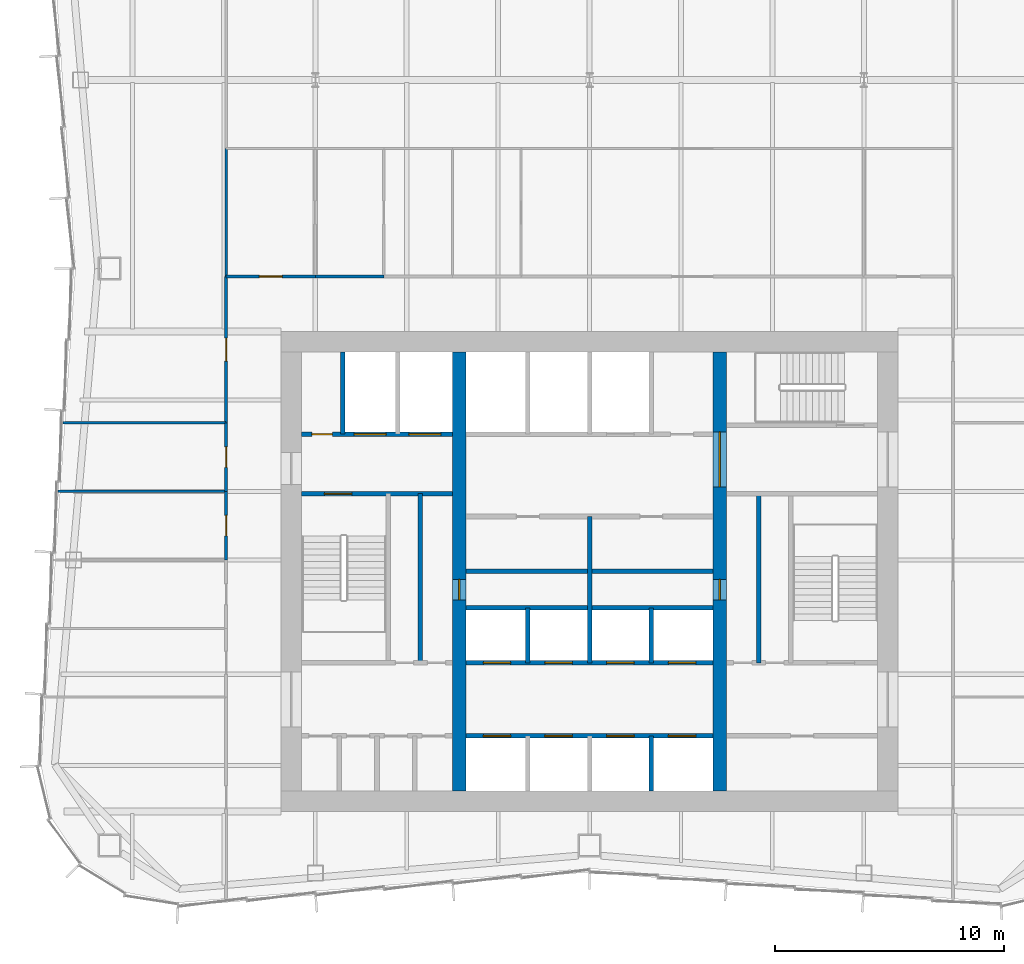
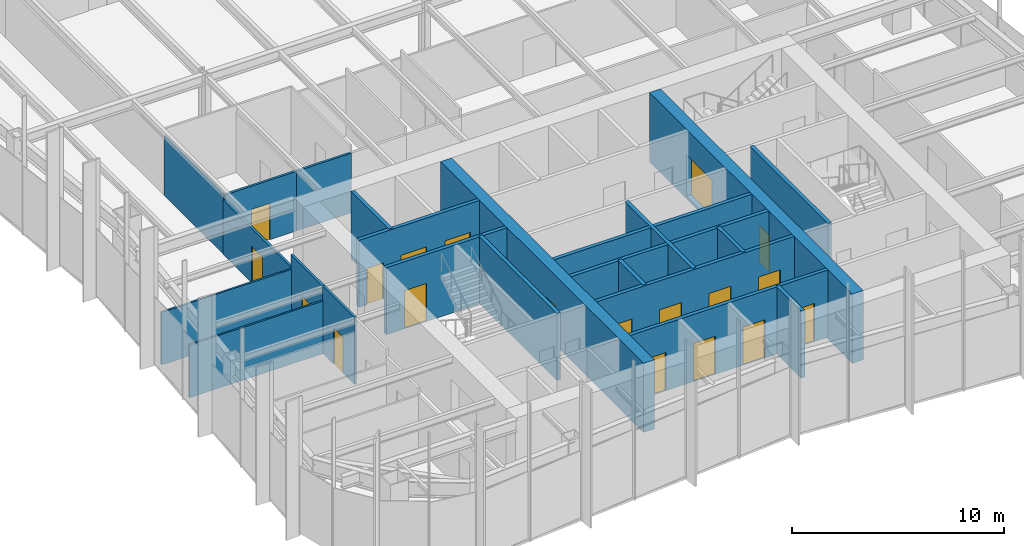
# One storey, part 10 of 13: 23 walls, 19 doors, 19 openings.
"""IFC4 building model written with IfcOpenShell, lengths in metres."""

from ifc_helpers import new_model, si_unit, direction, frame, frame_2d, origin, place, context, subcontext, project, spatial, rectangle, extrude, material, layer, layer_set, type_object, element, fill, save


model = new_model("IFC4")

# Units and contexts
model_context = context("Model", 3, precision=1e-05, world=origin(), true_north=direction((0.0, 1.0)))
body_context = subcontext(model_context, "Body", "Model", "MODEL_VIEW")
ifc_project = project(units=[si_unit("LENGTHUNIT", "METRE"), si_unit("AREAUNIT", "SQUARE_METRE"), si_unit("VOLUMEUNIT", "CUBIC_METRE"), si_unit("PLANEANGLEUNIT", "RADIAN"), si_unit("MASSUNIT", "GRAM", prefix="KILO")], contexts=[model_context])

# Site, building, storey
site_placement = place(None, origin())
site = spatial("IfcSite", under=ifc_project, at=site_placement, CompositionType="ELEMENT")
building_placement = place(site_placement, origin())
building = spatial("IfcBuilding", under=site, at=building_placement, Name="Verdant Reach Tower", CompositionType="ELEMENT")
storey_placement = place(building_placement, frame((0.0, 0.0, 218.0)))
storey = spatial("IfcBuildingStorey", under=building, at=storey_placement, Name="L50", CompositionType="ELEMENT", Elevation=218.0)

# Walls
ifc_material_1 = material(Name="Gypsum board on steel studs", Category="steel")
ifc_layer_1 = layer(ifc_material_1, 0.199951171875)
ifc_layer_set_1 = layer_set([ifc_layer_1], Name="CO-WALL-ROOM")
wall_type_1 = type_object("IfcWallType", Name="CO-WALL-ROOM", PredefinedType="PARTITIONING", material=ifc_layer_set_1)
wall_1_placement = place(storey_placement, frame((-5.39990234375, 28.0, 0.0), z_axis=(0.0, 0.0, 1.0), x_axis=(1.0, 0.0, 0.0)))
element("IfcWall", 1, at=wall_1_placement, inside=storey, type_object=wall_type_1, Name="Core partition, L50", PredefinedType="PARTITIONING", context=body_context, shape_type="SweptSolid", body=[
    extrude(rectangle(XDim=10.7998046875, YDim=0.199951171875, at=frame_2d((5.39990234375, 0.0))), origin(), (0.0, 0.0, 1.0), 3.8701171875),
])
for number, where, z_axis, x_axis, name in (
    (2, (-7.39990234375, 24.0, 0.0), (0.0, 0.0, 1.0), (0.0, 1.0, 0.0), "Core partition, L50"),
    (3, (7.39990234375, 24.0, 0.0), (0.0, 0.0, 1.0), (0.0, 1.0, 0.0), "Core partition, L50"),
):
    element("IfcWall", number, at=place(storey_placement, frame(where, z_axis=z_axis, x_axis=x_axis)), inside=storey, type_object=wall_type_1, Name=name, PredefinedType="PARTITIONING", context=body_context, shape_type="SweptSolid", body=[
        extrude(rectangle(XDim=7.39990234375, YDim=0.199951171875, at=frame_2d((3.699951171875, 0.0))), origin(), (0.0, 0.0, 1.0), 3.8701171875),
    ])

# Wall, openings, doors
ifc_material_2 = material(Name="Concrete C40/50", Category="concrete")
ifc_layer_2 = layer(ifc_material_2, 0.199951171875)
ifc_layer_set_2 = layer_set([ifc_layer_2], Name="CO-WALL-SHAFT")
wall_type_2 = type_object("IfcWallType", Name="CO-WALL-SHAFT", PredefinedType="PARTITIONING", material=ifc_layer_set_2)
wall_2_placement = place(storey_placement, frame((-5.39990234375, 20.800048828125, 0.0), z_axis=(0.0, 0.0, 1.0), x_axis=(1.0, 0.0, 0.0)))
wall_2 = element("IfcWall", 4, at=wall_2_placement, inside=storey, type_object=wall_type_2, Name="Lift shaft wall, L50", PredefinedType="PARTITIONING", context=body_context, shape_type="SweptSolid", body=[
    extrude(rectangle(XDim=10.7998046875, YDim=0.199951171875, at=frame_2d((5.39990234375, 0.0))), origin(), (0.0, 0.0, 1.0), 3.8701171875),
])
opening_1_placement = place(wall_2_placement, frame((0.75, 0.0, 0.0)))
opening_1 = element("IfcOpeningElement", 5, at=opening_1_placement, cuts=wall_2, Name="Opening LD-B1", PredefinedType="OPENING", context=body_context, shape_type="SweptSolid", body=[
    extrude(rectangle(XDim=1.199951171875, YDim=2.199951171875, at=frame_2d((0.60009765625, 1.10009765625))), frame((0.0, 0.10986328125, 0.0), z_axis=(0.0, -1.0, 0.0), x_axis=(1.0, 0.0, 0.0)), (0.0, 0.0, 1.0), 0.219970703125),
])
opening_2_placement = place(wall_2_placement, frame((3.449951171875, 0.0, 0.0)))
opening_2 = element("IfcOpeningElement", 6, at=opening_2_placement, cuts=wall_2, Name="Opening LD-B2", PredefinedType="OPENING", context=body_context, shape_type="SweptSolid", body=[
    extrude(rectangle(XDim=1.199951171875, YDim=2.199951171875, at=frame_2d((0.60009765625, 1.10009765625))), frame((0.0, 0.10986328125, 0.0), z_axis=(0.0, -1.0, 0.0), x_axis=(1.0, 0.0, 0.0)), (0.0, 0.0, 1.0), 0.219970703125),
])
opening_3_placement = place(wall_2_placement, frame((6.14990234375, 0.0, 0.0)))
opening_3 = element("IfcOpeningElement", 7, at=opening_3_placement, cuts=wall_2, Name="Opening LD-B3", PredefinedType="OPENING", context=body_context, shape_type="SweptSolid", body=[
    extrude(rectangle(XDim=1.199951171875, YDim=2.199951171875, at=frame_2d((0.60009765625, 1.10009765625))), frame((0.0, 0.10986328125, 0.0), z_axis=(0.0, -1.0, 0.0), x_axis=(1.0, 0.0, 0.0)), (0.0, 0.0, 1.0), 0.219970703125),
])
opening_4_placement = place(wall_2_placement, frame((8.85009765625, 0.0, 0.0)))
opening_4 = element("IfcOpeningElement", 8, at=opening_4_placement, cuts=wall_2, Name="Opening LD-B4", PredefinedType="OPENING", context=body_context, shape_type="SweptSolid", body=[
    extrude(rectangle(XDim=1.199951171875, YDim=2.199951171875, at=frame_2d((0.60009765625, 1.10009765625))), frame((0.0, 0.10986328125, 0.0), z_axis=(0.0, -1.0, 0.0), x_axis=(1.0, 0.0, 0.0)), (0.0, 0.0, 1.0), 0.219970703125),
])
ifc_material_3 = material(Name="Stainless steel", Category="steel")
door_type_1 = type_object("IfcDoorType", Name="CO-DOOR-LANDING", OperationType="SLIDING_TO_LEFT", PredefinedType="DOOR", material=ifc_material_3)
door_1_placement = place(opening_1_placement, origin())
door_1 = element("IfcDoor", 9, at=door_1_placement, inside=storey, type_object=door_type_1, Name="Landing door B1, L50", OperationType="SLIDING_TO_LEFT", OverallHeight=2.199951171875, OverallWidth=1.199951171875, PredefinedType="DOOR", context=body_context, shape_type="SweptSolid", body=[
    extrude(rectangle(XDim=1.199951171875, YDim=2.199951171875, at=frame_2d((0.60009765625, 1.10009765625))), frame((0.0, 0.02490234375, 0.0), z_axis=(0.0, -1.0, 0.0), x_axis=(1.0, 0.0, 0.0)), (0.0, 0.0, 1.0), 0.050048828125),
])
fill(opening_1, door_1)
door_2_placement = place(opening_2_placement, origin())
door_2 = element("IfcDoor", 10, at=door_2_placement, inside=storey, type_object=door_type_1, Name="Landing door B2, L50", OperationType="SLIDING_TO_LEFT", OverallHeight=2.199951171875, OverallWidth=1.199951171875, PredefinedType="DOOR", context=body_context, shape_type="SweptSolid", body=[
    extrude(rectangle(XDim=1.199951171875, YDim=2.199951171875, at=frame_2d((0.60009765625, 1.10009765625))), frame((0.0, 0.02490234375, 0.0), z_axis=(0.0, -1.0, 0.0), x_axis=(1.0, 0.0, 0.0)), (0.0, 0.0, 1.0), 0.050048828125),
])
fill(opening_2, door_2)
door_3_placement = place(opening_3_placement, origin())
door_3 = element("IfcDoor", 11, at=door_3_placement, inside=storey, type_object=door_type_1, Name="Landing door B3, L50", OperationType="SLIDING_TO_LEFT", OverallHeight=2.199951171875, OverallWidth=1.199951171875, PredefinedType="DOOR", context=body_context, shape_type="SweptSolid", body=[
    extrude(rectangle(XDim=1.199951171875, YDim=2.199951171875, at=frame_2d((0.60009765625, 1.10009765625))), frame((0.0, 0.02490234375, 0.0), z_axis=(0.0, -1.0, 0.0), x_axis=(1.0, 0.0, 0.0)), (0.0, 0.0, 1.0), 0.050048828125),
])
fill(opening_3, door_3)
door_4_placement = place(opening_4_placement, origin())
door_4 = element("IfcDoor", 12, at=door_4_placement, inside=storey, type_object=door_type_1, Name="Landing door B4, L50", OperationType="SLIDING_TO_LEFT", OverallHeight=2.199951171875, OverallWidth=1.199951171875, PredefinedType="DOOR", context=body_context, shape_type="SweptSolid", body=[
    extrude(rectangle(XDim=1.199951171875, YDim=2.199951171875, at=frame_2d((0.60009765625, 1.10009765625))), frame((0.0, 0.02490234375, 0.0), z_axis=(0.0, -1.0, 0.0), x_axis=(1.0, 0.0, 0.0)), (0.0, 0.0, 1.0), 0.050048828125),
])
fill(opening_4, door_4)

wall_3_placement = place(storey_placement, frame((-5.39990234375, 24.0, 0.0), z_axis=(0.0, 0.0, 1.0), x_axis=(1.0, 0.0, 0.0)))
wall_3 = element("IfcWall", 13, at=wall_3_placement, inside=storey, type_object=wall_type_2, Name="Lift shaft wall, L50", PredefinedType="PARTITIONING", context=body_context, shape_type="SweptSolid", body=[
    extrude(rectangle(XDim=10.7998046875, YDim=0.199951171875, at=frame_2d((5.39990234375, 0.0))), origin(), (0.0, 0.0, 1.0), 3.8701171875),
])
opening_5_placement = place(wall_3_placement, frame((0.75, 0.0, 0.0)))
opening_5 = element("IfcOpeningElement", 14, at=opening_5_placement, cuts=wall_3, Name="Opening LD-A5", PredefinedType="OPENING", context=body_context, shape_type="SweptSolid", body=[
    extrude(rectangle(XDim=1.199951171875, YDim=2.199951171875, at=frame_2d((0.60009765625, 1.10009765625))), frame((0.0, 0.10986328125, 0.0), z_axis=(0.0, -1.0, 0.0), x_axis=(1.0, 0.0, 0.0)), (0.0, 0.0, 1.0), 0.219970703125),
])
opening_6_placement = place(wall_3_placement, frame((3.449951171875, 0.0, 0.0)))
opening_6 = element("IfcOpeningElement", 15, at=opening_6_placement, cuts=wall_3, Name="Opening LD-A6", PredefinedType="OPENING", context=body_context, shape_type="SweptSolid", body=[
    extrude(rectangle(XDim=1.199951171875, YDim=2.199951171875, at=frame_2d((0.60009765625, 1.10009765625))), frame((0.0, 0.10986328125, 0.0), z_axis=(0.0, -1.0, 0.0), x_axis=(1.0, 0.0, 0.0)), (0.0, 0.0, 1.0), 0.219970703125),
])
opening_7_placement = place(wall_3_placement, frame((6.14990234375, 0.0, 0.0)))
opening_7 = element("IfcOpeningElement", 16, at=opening_7_placement, cuts=wall_3, Name="Opening LD-A7", PredefinedType="OPENING", context=body_context, shape_type="SweptSolid", body=[
    extrude(rectangle(XDim=1.199951171875, YDim=2.199951171875, at=frame_2d((0.60009765625, 1.10009765625))), frame((0.0, 0.10986328125, 0.0), z_axis=(0.0, -1.0, 0.0), x_axis=(1.0, 0.0, 0.0)), (0.0, 0.0, 1.0), 0.219970703125),
])
opening_8_placement = place(wall_3_placement, frame((8.85009765625, 0.0, 0.0)))
opening_8 = element("IfcOpeningElement", 17, at=opening_8_placement, cuts=wall_3, Name="Opening LD-A8", PredefinedType="OPENING", context=body_context, shape_type="SweptSolid", body=[
    extrude(rectangle(XDim=1.199951171875, YDim=2.199951171875, at=frame_2d((0.60009765625, 1.10009765625))), frame((0.0, 0.10986328125, 0.0), z_axis=(0.0, -1.0, 0.0), x_axis=(1.0, 0.0, 0.0)), (0.0, 0.0, 1.0), 0.219970703125),
])
door_5_placement = place(opening_5_placement, origin())
door_5 = element("IfcDoor", 18, at=door_5_placement, inside=storey, type_object=door_type_1, Name="Landing door A5, L50", OperationType="SLIDING_TO_LEFT", OverallHeight=2.199951171875, OverallWidth=1.199951171875, PredefinedType="DOOR", context=body_context, shape_type="SweptSolid", body=[
    extrude(rectangle(XDim=1.199951171875, YDim=2.199951171875, at=frame_2d((0.60009765625, 1.10009765625))), frame((0.0, 0.02490234375, 0.0), z_axis=(0.0, -1.0, 0.0), x_axis=(1.0, 0.0, 0.0)), (0.0, 0.0, 1.0), 0.050048828125),
])
fill(opening_5, door_5)
door_6_placement = place(opening_6_placement, origin())
door_6 = element("IfcDoor", 19, at=door_6_placement, inside=storey, type_object=door_type_1, Name="Landing door A6, L50", OperationType="SLIDING_TO_LEFT", OverallHeight=2.199951171875, OverallWidth=1.199951171875, PredefinedType="DOOR", context=body_context, shape_type="SweptSolid", body=[
    extrude(rectangle(XDim=1.199951171875, YDim=2.199951171875, at=frame_2d((0.60009765625, 1.10009765625))), frame((0.0, 0.02490234375, 0.0), z_axis=(0.0, -1.0, 0.0), x_axis=(1.0, 0.0, 0.0)), (0.0, 0.0, 1.0), 0.050048828125),
])
fill(opening_6, door_6)
door_7_placement = place(opening_7_placement, origin())
door_7 = element("IfcDoor", 20, at=door_7_placement, inside=storey, type_object=door_type_1, Name="Landing door A7, L50", OperationType="SLIDING_TO_LEFT", OverallHeight=2.199951171875, OverallWidth=1.199951171875, PredefinedType="DOOR", context=body_context, shape_type="SweptSolid", body=[
    extrude(rectangle(XDim=1.199951171875, YDim=2.199951171875, at=frame_2d((0.60009765625, 1.10009765625))), frame((0.0, 0.02490234375, 0.0), z_axis=(0.0, -1.0, 0.0), x_axis=(1.0, 0.0, 0.0)), (0.0, 0.0, 1.0), 0.050048828125),
])
fill(opening_7, door_7)
door_8_placement = place(opening_8_placement, origin())
door_8 = element("IfcDoor", 21, at=door_8_placement, inside=storey, type_object=door_type_1, Name="Landing door A8, L50", OperationType="SLIDING_TO_LEFT", OverallHeight=2.199951171875, OverallWidth=1.199951171875, PredefinedType="DOOR", context=body_context, shape_type="SweptSolid", body=[
    extrude(rectangle(XDim=1.199951171875, YDim=2.199951171875, at=frame_2d((0.60009765625, 1.10009765625))), frame((0.0, 0.02490234375, 0.0), z_axis=(0.0, -1.0, 0.0), x_axis=(1.0, 0.0, 0.0)), (0.0, 0.0, 1.0), 0.050048828125),
])
fill(opening_8, door_8)

# Wall
wall_4_placement = place(storey_placement, frame((-5.39990234375, 26.39990234375, 0.0), z_axis=(0.0, 0.0, 1.0), x_axis=(1.0, 0.0, 0.0)))
element("IfcWall", 22, at=wall_4_placement, inside=storey, type_object=wall_type_2, Name="Lift shaft wall, L50", PredefinedType="PARTITIONING", context=body_context, shape_type="SweptSolid", body=[
    extrude(rectangle(XDim=10.7998046875, YDim=0.199951171875, at=frame_2d((5.39990234375, 0.0))), origin(), (0.0, 0.0, 1.0), 3.8701171875),
])

# Wall, openings, doors
wall_5_placement = place(storey_placement, frame((-12.60009765625, 34.0, 0.0), z_axis=(0.0, 0.0, 1.0), x_axis=(1.0, 0.0, 0.0)))
wall_5 = element("IfcWall", 23, at=wall_5_placement, inside=storey, type_object=wall_type_2, Name="Lift shaft wall, L50", PredefinedType="PARTITIONING", context=body_context, shape_type="SweptSolid", body=[
    extrude(rectangle(XDim=6.60009765625, YDim=0.199951171875, at=frame_2d((3.300048828125, 0.0))), origin(), (0.0, 0.0, 1.0), 3.8701171875),
])
opening_9_placement = place(wall_5_placement, frame((4.699951171875, 0.0, 0.0)))
opening_9 = element("IfcOpeningElement", 24, at=opening_9_placement, cuts=wall_5, Name="Opening LD-F1", PredefinedType="OPENING", context=body_context, shape_type="SweptSolid", body=[
    extrude(rectangle(XDim=1.39990234375, YDim=2.199951171875, at=frame_2d((0.699951171875, 1.10009765625))), frame((0.0, 0.10986328125, 0.0), z_axis=(0.0, -1.0, 0.0), x_axis=(1.0, 0.0, 0.0)), (0.0, 0.0, 1.0), 0.219970703125),
])
opening_10_placement = place(wall_5_placement, frame((2.300048828125, 0.0, 0.0)))
opening_10 = element("IfcOpeningElement", 25, at=opening_10_placement, cuts=wall_5, Name="Opening LD-F2", PredefinedType="OPENING", context=body_context, shape_type="SweptSolid", body=[
    extrude(rectangle(XDim=1.39990234375, YDim=2.199951171875, at=frame_2d((0.699951171875, 1.10009765625))), frame((0.0, 0.10986328125, 0.0), z_axis=(0.0, -1.0, 0.0), x_axis=(1.0, 0.0, 0.0)), (0.0, 0.0, 1.0), 0.219970703125),
])
opening_11_placement = place(wall_5_placement, frame((0.449951171875, 0.0, 0.0)))
opening_11 = element("IfcOpeningElement", 26, at=opening_11_placement, cuts=wall_5, Name="Opening RD", PredefinedType="OPENING", context=body_context, shape_type="SweptSolid", body=[
    extrude(rectangle(XDim=0.89990234375, YDim=2.10009765625, at=frame_2d((0.449951171875, 1.050048828125))), frame((0.0, 0.10986328125, 0.0), z_axis=(0.0, -1.0, 0.0), x_axis=(1.0, 0.0, 0.0)), (0.0, 0.0, 1.0), 0.219970703125),
])
door_type_2 = type_object("IfcDoorType", Name="CO-DOOR-LANDING-FF", OperationType="SLIDING_TO_LEFT", PredefinedType="DOOR", material=ifc_material_3)
door_9_placement = place(opening_9_placement, origin())
door_9 = element("IfcDoor", 27, at=door_9_placement, inside=storey, type_object=door_type_2, Name="Landing door F1, L50", OperationType="SLIDING_TO_LEFT", OverallHeight=2.199951171875, OverallWidth=1.39990234375, PredefinedType="DOOR", context=body_context, shape_type="SweptSolid", body=[
    extrude(rectangle(XDim=1.39990234375, YDim=2.199951171875, at=frame_2d((0.699951171875, 1.10009765625))), frame((0.0, 0.02490234375, 0.0), z_axis=(0.0, -1.0, 0.0), x_axis=(1.0, 0.0, 0.0)), (0.0, 0.0, 1.0), 0.050048828125),
])
fill(opening_9, door_9)
door_10_placement = place(opening_10_placement, origin())
door_10 = element("IfcDoor", 28, at=door_10_placement, inside=storey, type_object=door_type_2, Name="Landing door F2, L50", OperationType="SLIDING_TO_LEFT", OverallHeight=2.199951171875, OverallWidth=1.39990234375, PredefinedType="DOOR", context=body_context, shape_type="SweptSolid", body=[
    extrude(rectangle(XDim=1.39990234375, YDim=2.199951171875, at=frame_2d((0.699951171875, 1.10009765625))), frame((0.0, 0.02490234375, 0.0), z_axis=(0.0, -1.0, 0.0), x_axis=(1.0, 0.0, 0.0)), (0.0, 0.0, 1.0), 0.050048828125),
])
fill(opening_10, door_10)
ifc_material_4 = material(Name="Steel", Category="steel")
door_type_3 = type_object("IfcDoorType", Name="CO-DOOR-RISER", OperationType="NOTDEFINED", PredefinedType="DOOR", material=ifc_material_4)
door_11_placement = place(opening_11_placement, origin())
door_11 = element("IfcDoor", 29, at=door_11_placement, inside=storey, type_object=door_type_3, Name="Core room door, L50", OperationType="SINGLE_SWING_RIGHT", OverallHeight=2.10009765625, OverallWidth=0.89990234375, PredefinedType="DOOR", context=body_context, shape_type="SweptSolid", body=[
    extrude(rectangle(XDim=0.89990234375, YDim=2.10009765625, at=frame_2d((0.449951171875, 1.050048828125))), frame((0.0, 0.02490234375, 0.0), z_axis=(0.0, -1.0, 0.0), x_axis=(1.0, 0.0, 0.0)), (0.0, 0.0, 1.0), 0.050048828125),
])
fill(opening_11, door_11)

# Walls
wall_6_placement = place(storey_placement, frame((-10.800048828125, 34.0, 0.0), z_axis=(0.0, 0.0, 1.0), x_axis=(0.0, 1.0, 0.0)))
element("IfcWall", 30, at=wall_6_placement, inside=storey, type_object=wall_type_2, Name="Lift shaft wall, L50", PredefinedType="PARTITIONING", context=body_context, shape_type="SweptSolid", body=[
    extrude(rectangle(XDim=3.60009765625, YDim=0.199951171875, at=frame_2d((1.800048828125, 0.0))), origin(), (0.0, 0.0, 1.0), 3.8701171875),
])
wall_7_placement = place(storey_placement, frame((-2.699951171875, 24.0, 0.0), z_axis=(0.0, 0.0, 1.0), x_axis=(0.0, 1.0, 0.0)))
element("IfcWall", 31, at=wall_7_placement, inside=storey, type_object=wall_type_2, Name="Lift shaft wall, L50", PredefinedType="PARTITIONING", context=body_context, shape_type="SweptSolid", body=[
    extrude(rectangle(XDim=2.39990234375, YDim=0.199951171875, at=frame_2d((1.199951171875, 0.0))), origin(), (0.0, 0.0, 1.0), 3.8701171875),
])
wall_8_placement = place(storey_placement, frame((0.0, 24.0, 0.0), z_axis=(0.0, 0.0, 1.0), x_axis=(0.0, 1.0, 0.0)))
element("IfcWall", 32, at=wall_8_placement, inside=storey, type_object=wall_type_2, Name="Lift shaft wall, L50", PredefinedType="PARTITIONING", context=body_context, shape_type="SweptSolid", body=[
    extrude(rectangle(XDim=6.39990234375, YDim=0.199951171875, at=frame_2d((3.199951171875, 0.0))), origin(), (0.0, 0.0, 1.0), 3.8701171875),
])
wall_9_placement = place(storey_placement, frame((2.699951171875, 18.39990234375, 0.0), z_axis=(0.0, 0.0, 1.0), x_axis=(0.0, 1.0, 0.0)))
element("IfcWall", 33, at=wall_9_placement, inside=storey, type_object=wall_type_2, Name="Lift shaft wall, L50", PredefinedType="PARTITIONING", context=body_context, shape_type="SweptSolid", body=[
    extrude(rectangle(XDim=2.400146484375, YDim=0.199951171875, at=frame_2d((1.2001953125, 0.0))), origin(), (0.0, 0.0, 1.0), 3.8701171875),
])
wall_10_placement = place(storey_placement, frame((2.699951171875, 24.0, 0.0), z_axis=(0.0, 0.0, 1.0), x_axis=(0.0, 1.0, 0.0)))
element("IfcWall", 34, at=wall_10_placement, inside=storey, type_object=wall_type_2, Name="Lift shaft wall, L50", PredefinedType="PARTITIONING", context=body_context, shape_type="SweptSolid", body=[
    extrude(rectangle(XDim=2.39990234375, YDim=0.199951171875, at=frame_2d((1.199951171875, 0.0))), origin(), (0.0, 0.0, 1.0), 3.8701171875),
])

# Wall, opening, door
ifc_layer_3 = layer(ifc_material_2, 0.199951171875)
ifc_layer_set_3 = layer_set([ifc_layer_3], Name="CO-WALL-STAIR")
wall_type_3 = type_object("IfcWallType", Name="CO-WALL-STAIR", PredefinedType="PARTITIONING", material=ifc_layer_set_3)
wall_11_placement = place(storey_placement, frame((-12.60009765625, 31.39990234375, 0.0), z_axis=(0.0, 0.0, 1.0), x_axis=(1.0, 0.0, 0.0)))
wall_11 = element("IfcWall", 35, at=wall_11_placement, inside=storey, type_object=wall_type_3, Name="Stair enclosure wall, L50", PredefinedType="PARTITIONING", context=body_context, shape_type="SweptSolid", body=[
    extrude(rectangle(XDim=6.60009765625, YDim=0.199951171875, at=frame_2d((3.300048828125, 0.0))), origin(), (0.0, 0.0, 1.0), 3.8701171875),
])
opening_12_placement = place(wall_11_placement, frame((1.0, 0.0, 0.0)))
opening_12 = element("IfcOpeningElement", 36, at=opening_12_placement, cuts=wall_11, Name="Opening SD", PredefinedType="OPENING", context=body_context, shape_type="SweptSolid", body=[
    extrude(rectangle(XDim=1.199951171875, YDim=2.199951171875, at=frame_2d((0.60009765625, 1.10009765625))), frame((0.0, 0.10986328125, 0.0), z_axis=(0.0, -1.0, 0.0), x_axis=(1.0, 0.0, 0.0)), (0.0, 0.0, 1.0), 0.219970703125),
])
door_type_4 = type_object("IfcDoorType", Name="CO-DOOR-STAIR", OperationType="NOTDEFINED", PredefinedType="DOOR", material=ifc_material_4)
door_12_placement = place(opening_12_placement, origin())
door_12 = element("IfcDoor", 37, at=door_12_placement, inside=storey, type_object=door_type_4, Name="Stair door, L50", OperationType="SINGLE_SWING_RIGHT", OverallHeight=2.199951171875, OverallWidth=1.199951171875, PredefinedType="DOOR", context=body_context, shape_type="SweptSolid", body=[
    extrude(rectangle(XDim=1.199951171875, YDim=2.199951171875, at=frame_2d((0.60009765625, 1.10009765625))), frame((0.0, 0.02490234375, 0.0), z_axis=(0.0, -1.0, 0.0), x_axis=(1.0, 0.0, 0.0)), (0.0, 0.0, 1.0), 0.050048828125),
])
fill(opening_12, door_12)

# Walls
ifc_layer_4 = layer(ifc_material_1, 0.10009765625)
ifc_layer_set_4 = layer_set([ifc_layer_4], Name="FL-W1 Partition 100")
wall_type_4 = type_object("IfcWallType", Name="FL-W1 Partition 100", PredefinedType="PARTITIONING", material=ifc_layer_set_4)
wall_12_placement = place(storey_placement, frame((-15.89990234375, 46.50390625, 0.0), z_axis=(0.0, 0.0, 1.0), x_axis=(0.0, -1.0, 0.0)))
element("IfcWall", 38, at=wall_12_placement, inside=storey, type_object=wall_type_4, Name="Partition 50.18", PredefinedType="PARTITIONING", context=body_context, shape_type="SweptSolid", body=[
    extrude(rectangle(XDim=5.60791015625, YDim=0.10009765625, at=frame_2d((2.803955078125, 0.0))), origin(), (0.0, 0.0, 1.0), 3.43994140625),
])
wall_13_placement = place(storey_placement, frame((-15.89990234375, 31.5, 0.0), z_axis=(0.0, 0.0, 1.0), x_axis=(-1.0, 0.0, 0.0)))
element("IfcWall", 39, at=wall_13_placement, inside=storey, type_object=wall_type_4, Name="Partition 50.41", PredefinedType="PARTITIONING", context=body_context, shape_type="SweptSolid", body=[
    extrude(rectangle(XDim=7.3525390625, YDim=0.10009765625, at=frame_2d((3.67626953125, 0.0))), origin(), (0.0, 0.0, 1.0), 3.0400390625),
])
wall_14_placement = place(storey_placement, frame((-15.89990234375, 34.5, 0.0), z_axis=(0.0, 0.0, 1.0), x_axis=(-1.0, 0.0, 0.0)))
element("IfcWall", 40, at=wall_14_placement, inside=storey, type_object=wall_type_4, Name="Partition 50.42", PredefinedType="PARTITIONING", context=body_context, shape_type="SweptSolid", body=[
    extrude(rectangle(XDim=7.1455078125, YDim=0.10009765625, at=frame_2d((3.57275390625, 0.0))), origin(), (0.0, 0.0, 1.0), 3.0400390625),
])

# Wall, opening, door
ifc_material_5 = material(Name="Gypsum board on steel studs, fire rated", Category="steel")
ifc_layer_5 = layer(ifc_material_5, 0.125)
ifc_layer_set_5 = layer_set([ifc_layer_5], Name="FL-W2 Corridor wall 125")
wall_type_5 = type_object("IfcWallType", Name="FL-W2 Corridor wall 125", PredefinedType="PARTITIONING", material=ifc_layer_set_5)
wall_15_placement = place(storey_placement, frame((-15.89990234375, 40.89990234375, 0.0), z_axis=(0.0, 0.0, 1.0), x_axis=(1.0, 0.0, 0.0)))
wall_15 = element("IfcWall", 41, at=wall_15_placement, inside=storey, type_object=wall_type_5, Name="Partition 50.01", PredefinedType="PARTITIONING", context=body_context, shape_type="SweptSolid", body=[
    extrude(rectangle(XDim=3.89990234375, YDim=0.125, at=frame_2d((1.949951171875, 0.0))), origin(), (0.0, 0.0, 1.0), 3.43994140625),
])
opening_13_placement = place(wall_15_placement, frame((1.449951171875, 0.0, 0.0)))
opening_13 = element("IfcOpeningElement", 42, at=opening_13_placement, cuts=wall_15, Name="Opening D2", PredefinedType="OPENING", context=body_context, shape_type="SweptSolid", body=[
    extrude(rectangle(XDim=1.0, YDim=2.10009765625, at=frame_2d((0.5, 1.050048828125))), frame((0.0, 0.072509765625, 0.0), z_axis=(0.0, -1.0, 0.0), x_axis=(1.0, 0.0, 0.0)), (0.0, 0.0, 1.0), 0.14501953125),
])
ifc_material_6 = material(Name="Timber door leaf, fire rated", Category="wood")
door_type_5 = type_object("IfcDoorType", Name="FL-D2 Entrance door 1000x2100 FD30", OperationType="NOTDEFINED", PredefinedType="DOOR", material=ifc_material_6)
door_13_placement = place(opening_13_placement, origin())
door_13 = element("IfcDoor", 43, at=door_13_placement, inside=storey, type_object=door_type_5, Name="Door 50-001", OperationType="SINGLE_SWING_LEFT", OverallHeight=2.10009765625, OverallWidth=1.0, PredefinedType="DOOR", context=body_context, shape_type="SweptSolid", body=[
    extrude(rectangle(XDim=1.0, YDim=2.10009765625, at=frame_2d((0.5, 1.050048828125))), frame((0.0, 0.02490234375, 0.0), z_axis=(0.0, -1.0, 0.0), x_axis=(1.0, 0.0, 0.0)), (0.0, 0.0, 1.0), 0.050048828125),
])
fill(opening_13, door_13)

# Wall
wall_16_placement = place(storey_placement, frame((-9.0, 40.89990234375, 0.0), z_axis=(0.0, 0.0, 1.0), x_axis=(-1.0, 0.0, 0.0)))
element("IfcWall", 44, at=wall_16_placement, inside=storey, type_object=wall_type_5, Name="Partition 50.02", PredefinedType="PARTITIONING", context=body_context, shape_type="SweptSolid", body=[
    extrude(rectangle(XDim=3.0, YDim=0.125, at=frame_2d((1.5, 0.0))), origin(), (0.0, 0.0, 1.0), 3.43994140625),
])

# Wall, opening, door
wall_17_placement = place(storey_placement, frame((-15.89990234375, 28.5, 0.0), z_axis=(0.0, 0.0, 1.0), x_axis=(0.0, 1.0, 0.0)))
wall_17 = element("IfcWall", 45, at=wall_17_placement, inside=storey, type_object=wall_type_5, Name="Partition 50.10", PredefinedType="PARTITIONING", context=body_context, shape_type="SweptSolid", body=[
    extrude(rectangle(XDim=3.0, YDim=0.125, at=frame_2d((1.5, 0.0))), origin(), (0.0, 0.0, 1.0), 3.8701171875),
])
opening_14_placement = place(wall_17_placement, frame((1.050048828125, 0.0, 0.0)))
opening_14 = element("IfcOpeningElement", 46, at=opening_14_placement, cuts=wall_17, Name="Opening D1", PredefinedType="OPENING", context=body_context, shape_type="SweptSolid", body=[
    extrude(rectangle(XDim=0.89990234375, YDim=2.10009765625, at=frame_2d((0.449951171875, 1.050048828125))), frame((0.0, 0.072509765625, 0.0), z_axis=(0.0, -1.0, 0.0), x_axis=(1.0, 0.0, 0.0)), (0.0, 0.0, 1.0), 0.14501953125),
])
ifc_material_7 = material(Name="Painted timber door leaf", Category="wood")
door_type_6 = type_object("IfcDoorType", Name="FL-D1 Door 900x2100", OperationType="NOTDEFINED", PredefinedType="DOOR", material=ifc_material_7)
door_14_placement = place(opening_14_placement, origin())
door_14 = element("IfcDoor", 47, at=door_14_placement, inside=storey, type_object=door_type_6, Name="Door 50-007", OperationType="SINGLE_SWING_LEFT", OverallHeight=2.10009765625, OverallWidth=0.89990234375, PredefinedType="DOOR", context=body_context, shape_type="SweptSolid", body=[
    extrude(rectangle(XDim=0.89990234375, YDim=2.10009765625, at=frame_2d((0.449951171875, 1.050048828125))), frame((0.0, 0.02490234375, 0.0), z_axis=(0.0, -1.0, 0.0), x_axis=(1.0, 0.0, 0.0)), (0.0, 0.0, 1.0), 0.050048828125),
])
fill(opening_14, door_14)

wall_18_placement = place(storey_placement, frame((-15.89990234375, 31.5, 0.0), z_axis=(0.0, 0.0, 1.0), x_axis=(0.0, 1.0, 0.0)))
wall_18 = element("IfcWall", 48, at=wall_18_placement, inside=storey, type_object=wall_type_5, Name="Partition 50.11", PredefinedType="PARTITIONING", context=body_context, shape_type="SweptSolid", body=[
    extrude(rectangle(XDim=3.0, YDim=0.125, at=frame_2d((1.5, 0.0))), origin(), (0.0, 0.0, 1.0), 3.8701171875),
])
opening_15_placement = place(wall_18_placement, frame((1.050048828125, 0.0, 0.0)))
opening_15 = element("IfcOpeningElement", 49, at=opening_15_placement, cuts=wall_18, Name="Opening D1", PredefinedType="OPENING", context=body_context, shape_type="SweptSolid", body=[
    extrude(rectangle(XDim=0.89990234375, YDim=2.10009765625, at=frame_2d((0.449951171875, 1.050048828125))), frame((0.0, 0.072509765625, 0.0), z_axis=(0.0, -1.0, 0.0), x_axis=(1.0, 0.0, 0.0)), (0.0, 0.0, 1.0), 0.14501953125),
])
door_15_placement = place(opening_15_placement, origin())
door_15 = element("IfcDoor", 50, at=door_15_placement, inside=storey, type_object=door_type_6, Name="Door 50-008", OperationType="SINGLE_SWING_RIGHT", OverallHeight=2.10009765625, OverallWidth=0.89990234375, PredefinedType="DOOR", context=body_context, shape_type="SweptSolid", body=[
    extrude(rectangle(XDim=0.89990234375, YDim=2.10009765625, at=frame_2d((0.449951171875, 1.050048828125))), frame((0.0, 0.02490234375, 0.0), z_axis=(0.0, -1.0, 0.0), x_axis=(1.0, 0.0, 0.0)), (0.0, 0.0, 1.0), 0.050048828125),
])
fill(opening_15, door_15)

wall_19_placement = place(storey_placement, frame((-15.89990234375, 34.5, 0.0), z_axis=(0.0, 0.0, 1.0), x_axis=(0.0, 1.0, 0.0)))
wall_19 = element("IfcWall", 51, at=wall_19_placement, inside=storey, type_object=wall_type_5, Name="Partition 50.12", PredefinedType="PARTITIONING", context=body_context, shape_type="SweptSolid", body=[
    extrude(rectangle(XDim=6.404052734375, YDim=0.125, at=frame_2d((3.2021484375, 0.0))), origin(), (0.0, 0.0, 1.0), 3.139892578125),
])
opening_16_placement = place(wall_19_placement, frame((2.701904296875, 0.0, 0.0)))
opening_16 = element("IfcOpeningElement", 52, at=opening_16_placement, cuts=wall_19, Name="Opening D2", PredefinedType="OPENING", context=body_context, shape_type="SweptSolid", body=[
    extrude(rectangle(XDim=1.0, YDim=2.10009765625, at=frame_2d((0.5, 1.050048828125))), frame((0.0, 0.072509765625, 0.0), z_axis=(0.0, -1.0, 0.0), x_axis=(1.0, 0.0, 0.0)), (0.0, 0.0, 1.0), 0.14501953125),
])
door_16_placement = place(opening_16_placement, origin())
door_16 = element("IfcDoor", 53, at=door_16_placement, inside=storey, type_object=door_type_5, Name="Door 50-009", OperationType="SINGLE_SWING_LEFT", OverallHeight=2.10009765625, OverallWidth=1.0, PredefinedType="DOOR", context=body_context, shape_type="SweptSolid", body=[
    extrude(rectangle(XDim=1.0, YDim=2.10009765625, at=frame_2d((0.5, 1.050048828125))), frame((0.0, 0.02490234375, 0.0), z_axis=(0.0, -1.0, 0.0), x_axis=(1.0, 0.0, 0.0)), (0.0, 0.0, 1.0), 0.050048828125),
])
fill(opening_16, door_16)

ifc_material_8 = material(Name="Concrete C70/85", Category="concrete")
ifc_layer_6 = layer(ifc_material_8, 0.60009765625)
ifc_layer_set_6 = layer_set([ifc_layer_6], Name="ST-CORE-WALL-600")
wall_type_6 = type_object("IfcWallType", Name="ST-CORE-WALL-600", PredefinedType="SHEAR", material=ifc_layer_set_6)
wall_20_placement = place(storey_placement, frame((-5.699951171875, 18.39990234375, -0.1298828125), z_axis=(0.0, 0.0, 1.0), x_axis=(0.0, 1.0, 0.0)))
wall_20 = element("IfcWall", 54, at=wall_20_placement, inside=storey, type_object=wall_type_6, Name="Core wall XW, L50", PredefinedType="SHEAR", context=body_context, shape_type="SweptSolid", body=[
    extrude(rectangle(XDim=19.2001953125, YDim=0.60009765625, at=frame_2d((9.60009765625, 0.0))), origin(), (0.0, 0.0, 1.0), 4.0),
])
opening_17_placement = place(wall_20_placement, frame((8.35009765625, 0.0, 0.1298828125)))
opening_17 = element("IfcOpeningElement", 55, at=opening_17_placement, cuts=wall_20, Name="Opening RD", PredefinedType="OPENING", context=body_context, shape_type="SweptSolid", body=[
    extrude(rectangle(XDim=0.89990234375, YDim=2.10009765625, at=frame_2d((0.449951171875, 1.050048828125))), frame((0.0, 0.31005859375, 0.0), z_axis=(0.0, -1.0, 0.0), x_axis=(1.0, 0.0, 0.0)), (0.0, 0.0, 1.0), 0.6201171875),
])
door_17_placement = place(opening_17_placement, origin())
door_17 = element("IfcDoor", 56, at=door_17_placement, inside=storey, type_object=door_type_3, Name="Riser door, L50", OperationType="SINGLE_SWING_LEFT", OverallHeight=2.10009765625, OverallWidth=0.89990234375, PredefinedType="DOOR", context=body_context, shape_type="SweptSolid", body=[
    extrude(rectangle(XDim=0.89990234375, YDim=2.10009765625, at=frame_2d((0.449951171875, 1.050048828125))), frame((0.0, 0.02490234375, 0.0), z_axis=(0.0, -1.0, 0.0), x_axis=(1.0, 0.0, 0.0)), (0.0, 0.0, 1.0), 0.050048828125),
])
fill(opening_17, door_17)

# Wall, openings, doors
wall_21_placement = place(storey_placement, frame((5.699951171875, 18.39990234375, -0.1298828125), z_axis=(0.0, 0.0, 1.0), x_axis=(0.0, 1.0, 0.0)))
wall_21 = element("IfcWall", 57, at=wall_21_placement, inside=storey, type_object=wall_type_6, Name="Core wall XE, L50", PredefinedType="SHEAR", context=body_context, shape_type="SweptSolid", body=[
    extrude(rectangle(XDim=19.2001953125, YDim=0.60009765625, at=frame_2d((9.60009765625, 0.0))), origin(), (0.0, 0.0, 1.0), 4.0),
])
opening_18_placement = place(wall_21_placement, frame((8.35009765625, 0.0, 0.1298828125)))
opening_18 = element("IfcOpeningElement", 58, at=opening_18_placement, cuts=wall_21, Name="Opening RD", PredefinedType="OPENING", context=body_context, shape_type="SweptSolid", body=[
    extrude(rectangle(XDim=0.89990234375, YDim=2.10009765625, at=frame_2d((0.449951171875, 1.050048828125))), frame((0.0, 0.31005859375, 0.0), z_axis=(0.0, -1.0, 0.0), x_axis=(1.0, 0.0, 0.0)), (0.0, 0.0, 1.0), 0.6201171875),
])
opening_19_placement = place(wall_21_placement, frame((13.300048828125, 0.0, 0.1298828125)))
opening_19 = element("IfcOpeningElement", 59, at=opening_19_placement, cuts=wall_21, Name="Opening LB", PredefinedType="OPENING", context=body_context, shape_type="SweptSolid", body=[
    extrude(rectangle(XDim=2.39990234375, YDim=2.39990234375, at=frame_2d((1.199951171875, 1.199951171875))), frame((0.0, 0.31005859375, 0.0), z_axis=(0.0, -1.0, 0.0), x_axis=(1.0, 0.0, 0.0)), (0.0, 0.0, 1.0), 0.6201171875),
])
ifc_material_9 = material(Name="Glass and steel", Category="steel")
door_type_7 = type_object("IfcDoorType", Name="CO-DOOR-LOBBY", OperationType="DOUBLE_DOOR_SINGLE_SWING", PredefinedType="DOOR", material=ifc_material_9)
door_18_placement = place(opening_19_placement, origin())
door_18 = element("IfcDoor", 60, at=door_18_placement, inside=storey, type_object=door_type_7, Name="Core entrance door, L50", OperationType="DOUBLE_DOOR_SINGLE_SWING", OverallHeight=2.39990234375, OverallWidth=2.39990234375, PredefinedType="DOOR", context=body_context, shape_type="SweptSolid", body=[
    extrude(rectangle(XDim=2.39990234375, YDim=2.39990234375, at=frame_2d((1.199951171875, 1.199951171875))), frame((0.0, 0.02490234375, 0.0), z_axis=(0.0, -1.0, 0.0), x_axis=(1.0, 0.0, 0.0)), (0.0, 0.0, 1.0), 0.050048828125),
])
fill(opening_19, door_18)
door_19_placement = place(opening_18_placement, origin())
door_19 = element("IfcDoor", 61, at=door_19_placement, inside=storey, type_object=door_type_3, Name="Riser door, L50", OperationType="SINGLE_SWING_RIGHT", OverallHeight=2.10009765625, OverallWidth=0.89990234375, PredefinedType="DOOR", context=body_context, shape_type="SweptSolid", body=[
    extrude(rectangle(XDim=0.89990234375, YDim=2.10009765625, at=frame_2d((0.449951171875, 1.050048828125))), frame((0.0, 0.02490234375, 0.0), z_axis=(0.0, -1.0, 0.0), x_axis=(1.0, 0.0, 0.0)), (0.0, 0.0, 1.0), 0.050048828125),
])
fill(opening_18, door_19)

save(model, "model.ifc")
